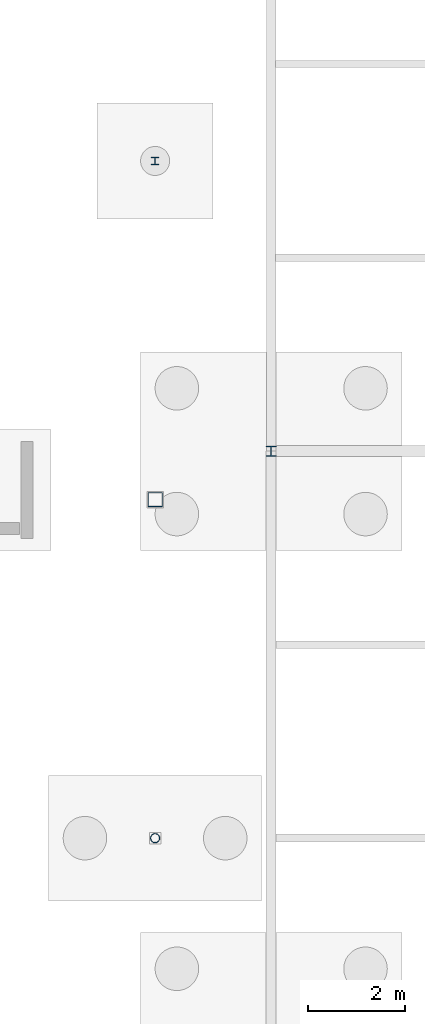
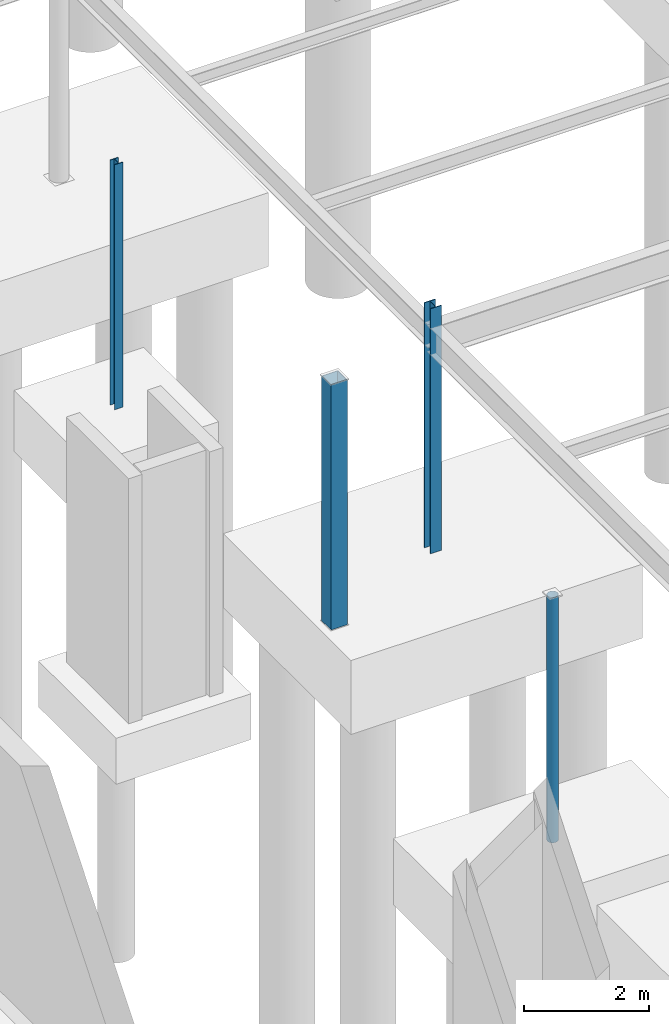
# One storey, part 57 of 136: 4 columns.
"""IFC4 building model written with IfcOpenShell, lengths in metres."""

from ifc_helpers import new_model, si_unit, direction, frame, origin, origin_2d, place, context, subcontext, project, spatial, hollow_rectangle, hollow_circle, i_section, extrude, material, material_profile, profile_set, type_object, element, save


model = new_model("IFC4")

# Units and contexts
model_context = context("Model", 3, precision=1e-05, world=origin(), true_north=direction((0.0, 1.0)))
body_context = subcontext(model_context, "Body", "Model", "MODEL_VIEW")
ifc_project = project(units=[si_unit("LENGTHUNIT", "METRE"), si_unit("AREAUNIT", "SQUARE_METRE"), si_unit("VOLUMEUNIT", "CUBIC_METRE"), si_unit("PLANEANGLEUNIT", "RADIAN"), si_unit("MASSUNIT", "GRAM", prefix="KILO")], contexts=[model_context])

# Site, building, storey
site_placement = place(None, origin())
site = spatial("IfcSite", under=ifc_project, at=site_placement, CompositionType="ELEMENT")
building_placement = place(site_placement, origin())
building = spatial("IfcBuilding", under=site, at=building_placement, Name="Tarnwether General Hospital", CompositionType="ELEMENT")
storey_placement = place(building_placement, frame((0.0, 0.0, -4.800048828125)))
storey = spatial("IfcBuildingStorey", under=building, at=storey_placement, Name="LG", CompositionType="ELEMENT", Elevation=-4.800048828125)

# Columns
ifc_material_1 = material(Name="Steel Grade 350 (350 MPa)", Category="steel")
ifc_material_profile_1 = material_profile(ifc_material_1, i_section(OverallWidth=0.205078125, OverallDepth=0.2099609375, WebThickness=0.00927734375, FlangeThickness=0.01416015625, at=origin_2d()), Name="200UC59.5")
ifc_profile_set_1 = profile_set([ifc_material_profile_1], Name="Steel Grade 350 (350 MPa)")
column_type_1 = type_object("IfcColumnType", Name="COL-25", PredefinedType="COLUMN", material=ifc_profile_set_1)
column_1_placement = place(storey_placement, frame((144.0, 69.60009765625, 0.0), z_axis=(0.0, 0.0, 1.0), x_axis=(1.0, 0.0, 0.0)))
element("IfcColumn", 1, at=column_1_placement, inside=storey, type_object=column_type_1, Name="Column COLG-LG-14400_6960", PredefinedType="COLUMN", context=body_context, shape_type="SweptSolid", body=[
    extrude(i_section(OverallWidth=0.205078125, OverallDepth=0.2099609375, WebThickness=0.00927734375, FlangeThickness=0.01416015625, at=origin_2d()), origin(), (0.0, 0.0, 1.0), 4.800048828125),
])
ifc_material_2 = material(Name="Steel Grade C350L0 (350 MPa)", Category="steel")
ifc_material_profile_2 = material_profile(ifc_material_2, hollow_circle(Radius=0.096923828125, WallThickness=0.008056640625, at=origin_2d()), Name="CHS193.7x8.0")
ifc_profile_set_2 = profile_set([ifc_material_profile_2], Name="Steel Grade C350L0 (350 MPa)")
column_type_2 = type_object("IfcColumnType", Name="COL-29", PredefinedType="COLUMN", material=ifc_profile_set_2)
column_2_placement = place(storey_placement, frame((141.60009765625, 61.60009765625, 0.0), z_axis=(0.0, 0.0, 1.0), x_axis=(1.0, 0.0, 0.0)))
element("IfcColumn", 2, at=column_2_placement, inside=storey, type_object=column_type_2, Name="Column COLG-LG-14160_6160", PredefinedType="COLUMN", context=body_context, shape_type="SweptSolid", body=[
    extrude(hollow_circle(Radius=0.096923828125, WallThickness=0.008056640625, at=origin_2d()), origin(), (0.0, 0.0, 1.0), 4.800048828125),
])
ifc_material_3 = material(Name="Steel Grade C350L0 (350 MPa)", Category="steel")
ifc_material_profile_3 = material_profile(ifc_material_3, hollow_rectangle(XDim=0.300048828125, YDim=0.300048828125, WallThickness=0.012451171875, at=origin_2d()), Name="SHS300x300x12.5")
ifc_profile_set_3 = profile_set([ifc_material_profile_3], Name="Steel Grade C350L0 (350 MPa)")
column_type_3 = type_object("IfcColumnType", Name="COL-30", PredefinedType="COLUMN", material=ifc_profile_set_3)
column_3_placement = place(storey_placement, frame((141.60009765625, 68.60009765625, 0.0), z_axis=(0.0, 0.0, 1.0), x_axis=(1.0, 0.0, 0.0)))
element("IfcColumn", 3, at=column_3_placement, inside=storey, type_object=column_type_3, Name="Column COLG-LG-14160_6860", PredefinedType="COLUMN", context=body_context, shape_type="SweptSolid", body=[
    extrude(hollow_rectangle(XDim=0.300048828125, YDim=0.300048828125, WallThickness=0.012451171875, at=origin_2d()), origin(), (0.0, 0.0, 1.0), 4.800048828125),
])
ifc_material_4 = material(Name="Steel Grade 350 (350 MPa)", Category="steel")
ifc_material_profile_4 = material_profile(ifc_material_4, i_section(OverallWidth=0.153076171875, OverallDepth=0.157958984375, WebThickness=0.006591796875, FlangeThickness=0.009521484375, at=origin_2d()), Name="150UC30.0")
ifc_profile_set_4 = profile_set([ifc_material_profile_4], Name="Steel Grade 350 (350 MPa)")
column_type_4 = type_object("IfcColumnType", Name="COL-31", PredefinedType="COLUMN", material=ifc_profile_set_4)
column_4_placement = place(storey_placement, frame((141.60009765625, 75.60009765625, 0.0), z_axis=(0.0, 0.0, 1.0), x_axis=(1.0, 0.0, 0.0)))
element("IfcColumn", 4, at=column_4_placement, inside=storey, type_object=column_type_4, Name="Column COLG-LG-14160_7560", PredefinedType="COLUMN", context=body_context, shape_type="SweptSolid", body=[
    extrude(i_section(OverallWidth=0.153076171875, OverallDepth=0.157958984375, WebThickness=0.006591796875, FlangeThickness=0.009521484375, at=origin_2d()), origin(), (0.0, 0.0, 1.0), 4.800048828125),
])

save(model, "model.ifc")
